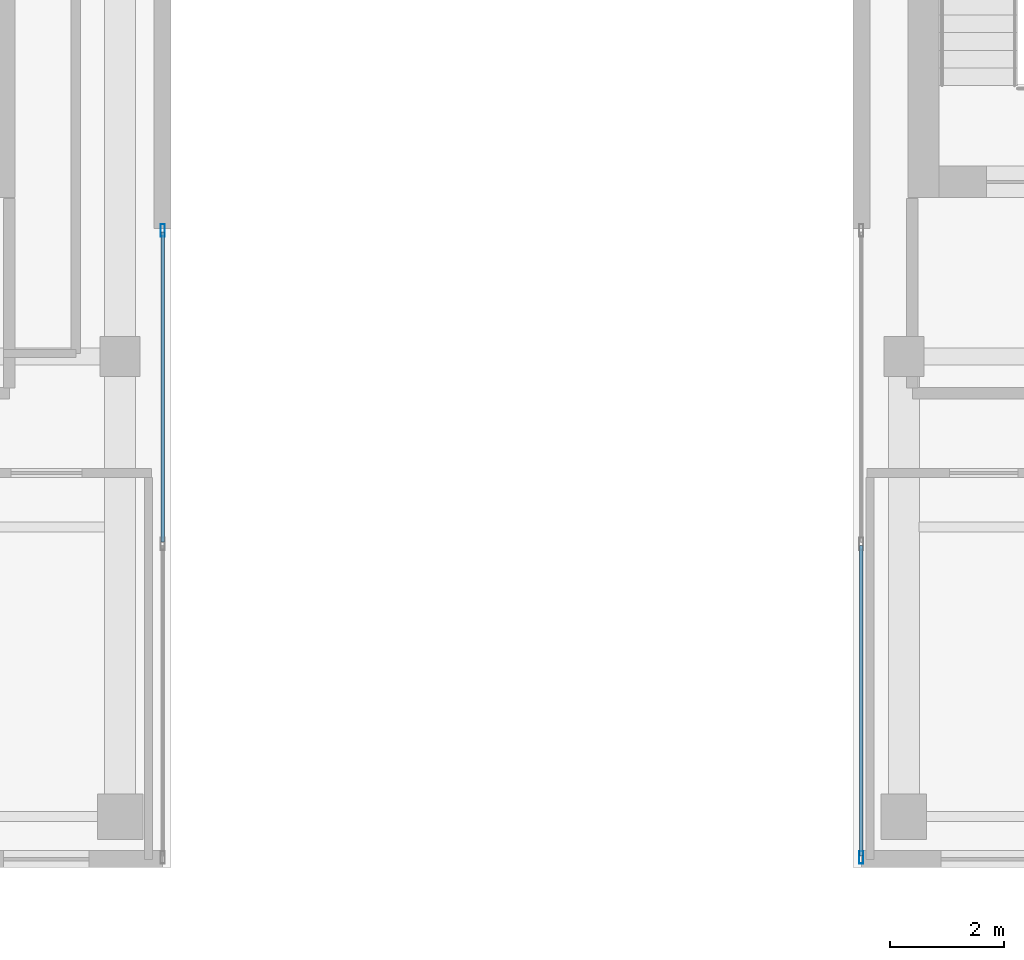
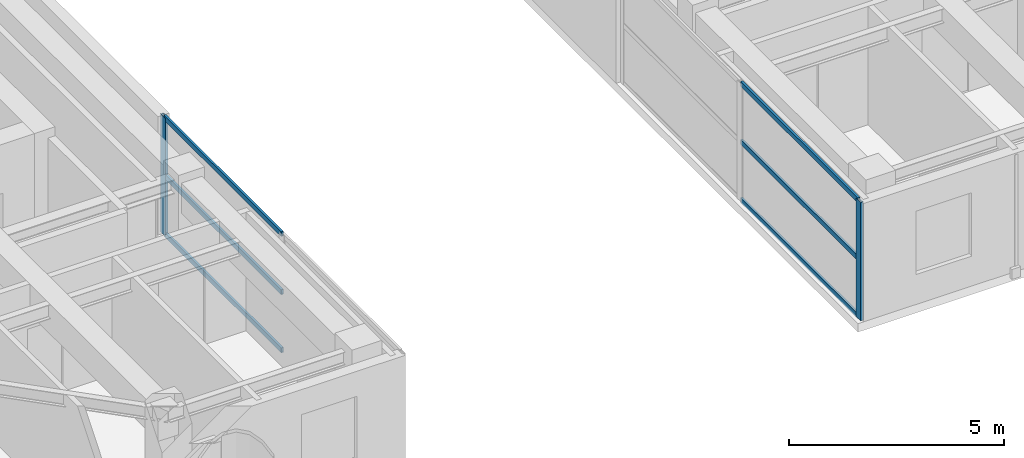
# One storey, part 4 of 24: 8 members, 2 elements without a shape of their own.
"""IFC4 building model written with IfcOpenShell, lengths in metres."""

from ifc_helpers import new_model, si_unit, direction, frame, origin, origin_2d, place, context, subcontext, project, spatial, hollow_rectangle, extrude, source, transform, mapped, material, layer, layer_set, material_profile, profile_set, type_object, element, aggregate, save


model = new_model("IFC4")

# Units and contexts
model_context = context("Model", 3, precision=1e-05, world=origin(), true_north=direction((0.0, 1.0)))
body_context = subcontext(model_context, "Body", "Model", "MODEL_VIEW")
ifc_project = project(units=[si_unit("LENGTHUNIT", "METRE"), si_unit("AREAUNIT", "SQUARE_METRE"), si_unit("VOLUMEUNIT", "CUBIC_METRE"), si_unit("PLANEANGLEUNIT", "RADIAN"), si_unit("MASSUNIT", "GRAM", prefix="KILO")], contexts=[model_context])

# Site, building, storey
site_placement = place(None, origin())
site = spatial("IfcSite", under=ifc_project, at=site_placement, CompositionType="ELEMENT")
building_placement = place(site_placement, origin())
building = spatial("IfcBuilding", under=site, at=building_placement, Name="Khoralis Quay Care Tower", CompositionType="ELEMENT")
storey_placement = place(building_placement, frame((0.0, 0.0, 249.300048828125)))
storey = spatial("IfcBuildingStorey", under=building, at=storey_placement, Name="L65", CompositionType="ELEMENT", Elevation=249.300048828125)

# Curtain wall, members
ifc_material = material(Name="Pale anodised aluminium", Category="aluminium")
ifc_layer = layer(ifc_material, 0.18994140625)
ifc_layer_set = layer_set([ifc_layer], Name="Pale anodised aluminium")
curtain_wall_type = type_object("IfcCurtainWallType", Name="CW-SYS-PORTAL", PredefinedType="NOTDEFINED", material=ifc_layer_set)
curtain_wall_1_placement = place(storey_placement, origin())
curtain_wall_1 = element("IfcCurtainWall", 1, at=curtain_wall_1_placement, inside=storey, type_object=curtain_wall_type, Name="L65 Unitised Curtain Wall CW-VP-L65-P1-S", PredefinedType="NOTDEFINED")
ifc_material_profile_1 = material_profile(ifc_material, hollow_rectangle(XDim=0.06005859375, YDim=0.139892578125, WallThickness=0.00390625, at=origin_2d()), Name="Pale anodised aluminium")
ifc_profile_set_1 = profile_set([ifc_material_profile_1], Name="Pale anodised aluminium")
member_type_1 = type_object("IfcMemberType", Name="CW-TRN-140", PredefinedType="USERDEFINED", material=ifc_profile_set_1)
shared_shape_1 = source(origin(), body_context, "Body", "SweptSolid", [
    extrude(hollow_rectangle(XDim=0.06005859375, YDim=0.139892578125, WallThickness=0.00390625, at=origin_2d()), origin(), (0.0, 0.0, 1.0), 5.4599609375),
])
member_1_placement = place(storey_placement, frame((17.85009765625, 8.72998046875, 0.030029296875), z_axis=(0.0, 1.0, 0.0), x_axis=(-1.0, 0.0, 0.0)))
member_1 = element("IfcMember", 2, at=member_1_placement, type_object=member_type_1, Name="CW4 transom 2.1", ObjectType="TRANSOM", PredefinedType="USERDEFINED", context=body_context, shape_type="MappedRepresentation", body=[
    mapped(shared_shape_1, transform((0.0, 0.0, 0.0), scale=1.0)),
])
member_2_placement = place(storey_placement, frame((17.85009765625, 8.72998046875, 1.679931640625), z_axis=(0.0, 1.0, 0.0), x_axis=(-1.0, 0.0, 0.0)))
member_2 = element("IfcMember", 3, at=member_2_placement, type_object=member_type_1, Name="CW4 transom 2.2", ObjectType="TRANSOM", PredefinedType="USERDEFINED", context=body_context, shape_type="MappedRepresentation", body=[
    mapped(shared_shape_1, transform((0.0, 0.0, 0.0), scale=1.0)),
])
member_3_placement = place(storey_placement, frame((17.85009765625, 8.72998046875, 3.329833984375), z_axis=(0.0, 1.0, 0.0), x_axis=(-1.0, 0.0, 0.0)))
member_3 = element("IfcMember", 4, at=member_3_placement, type_object=member_type_1, Name="CW4 transom 2.3", ObjectType="TRANSOM", PredefinedType="USERDEFINED", context=body_context, shape_type="MappedRepresentation", body=[
    mapped(shared_shape_1, transform((0.0, 0.0, 0.0), scale=1.0)),
])

curtain_wall_2_placement = place(storey_placement, origin())
curtain_wall_2 = element("IfcCurtainWall", 5, at=curtain_wall_2_placement, inside=storey, type_object=curtain_wall_type, Name="L65 Unitised Curtain Wall CW-VP-L65-P2-S", PredefinedType="NOTDEFINED")
member_4_placement = place(storey_placement, frame((30.14990234375, 3.2099609375, 0.030029296875), z_axis=(0.0, 1.0, 0.0), x_axis=(-1.0, 0.0, 0.0)))
member_4 = element("IfcMember", 6, at=member_4_placement, type_object=member_type_1, Name="CW4 transom 1.1", ObjectType="TRANSOM", PredefinedType="USERDEFINED", context=body_context, shape_type="MappedRepresentation", body=[
    mapped(shared_shape_1, transform((0.0, 0.0, 0.0), scale=1.0)),
])
member_5_placement = place(storey_placement, frame((30.14990234375, 3.2099609375, 1.679931640625), z_axis=(0.0, 1.0, 0.0), x_axis=(-1.0, 0.0, 0.0)))
member_5 = element("IfcMember", 7, at=member_5_placement, type_object=member_type_1, Name="CW4 transom 1.2", ObjectType="TRANSOM", PredefinedType="USERDEFINED", context=body_context, shape_type="MappedRepresentation", body=[
    mapped(shared_shape_1, transform((0.0, 0.0, 0.0), scale=1.0)),
])
member_6_placement = place(storey_placement, frame((30.14990234375, 3.2099609375, 3.329833984375), z_axis=(0.0, 1.0, 0.0), x_axis=(-1.0, 0.0, 0.0)))
member_6 = element("IfcMember", 8, at=member_6_placement, type_object=member_type_1, Name="CW4 transom 1.3", ObjectType="TRANSOM", PredefinedType="USERDEFINED", context=body_context, shape_type="MappedRepresentation", body=[
    mapped(shared_shape_1, transform((0.0, 0.0, 0.0), scale=1.0)),
])

# Member
ifc_material_profile_2 = material_profile(ifc_material, hollow_rectangle(XDim=0.074951171875, YDim=0.219970703125, WallThickness=0.00390625, at=origin_2d()), Name="Pale anodised aluminium")
ifc_profile_set_2 = profile_set([ifc_material_profile_2], Name="Pale anodised aluminium")
member_type_2 = type_object("IfcMemberType", Name="CW-MUL-220", PredefinedType="MULLION", material=ifc_profile_set_2)
shared_shape_2 = source(origin(), body_context, "Body", "SweptSolid", [
    extrude(hollow_rectangle(XDim=0.074951171875, YDim=0.219970703125, WallThickness=0.00390625, at=origin_2d()), origin(), (0.0, 0.0, 1.0), 3.35986328125),
])
member_7_placement = place(storey_placement, frame((17.85009765625, 14.219970703125, 0.0), z_axis=(0.0, 0.0, 1.0), x_axis=(-1.0, 0.0, 0.0)))
member_7 = element("IfcMember", 9, at=member_7_placement, type_object=member_type_2, Name="CW4 mullion 3", PredefinedType="MULLION", context=body_context, shape_type="MappedRepresentation", body=[
    mapped(shared_shape_2, transform((0.0, 0.0, 0.0), scale=1.0)),
])

aggregate(curtain_wall_1, [member_7, member_1, member_2, member_3])

member_8_placement = place(storey_placement, frame((30.14990234375, 3.179931640625, 0.0), z_axis=(0.0, 0.0, 1.0), x_axis=(-1.0, 0.0, 0.0)))
member_8 = element("IfcMember", 10, at=member_8_placement, type_object=member_type_2, Name="CW4 mullion 1", PredefinedType="MULLION", context=body_context, shape_type="MappedRepresentation", body=[
    mapped(shared_shape_2, transform((0.0, 0.0, 0.0), scale=1.0)),
])

aggregate(curtain_wall_2, [member_8, member_4, member_5, member_6])

save(model, "model.ifc")
